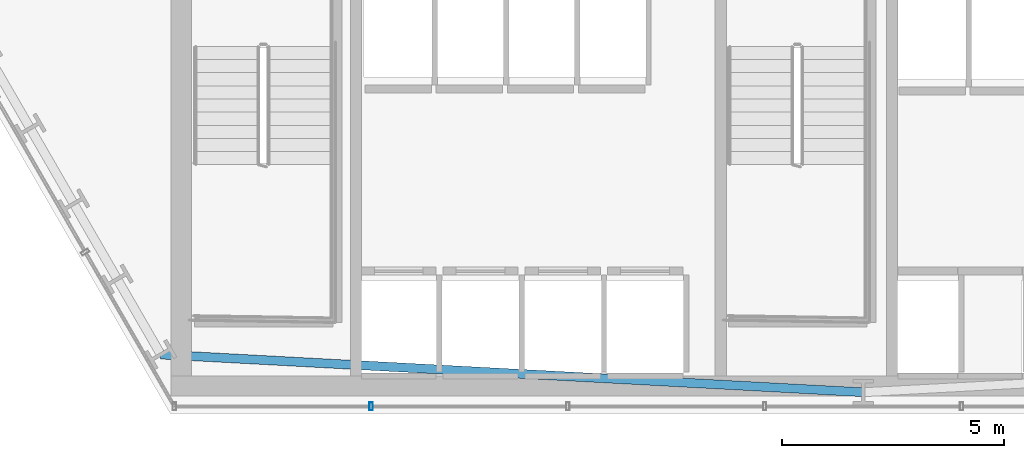
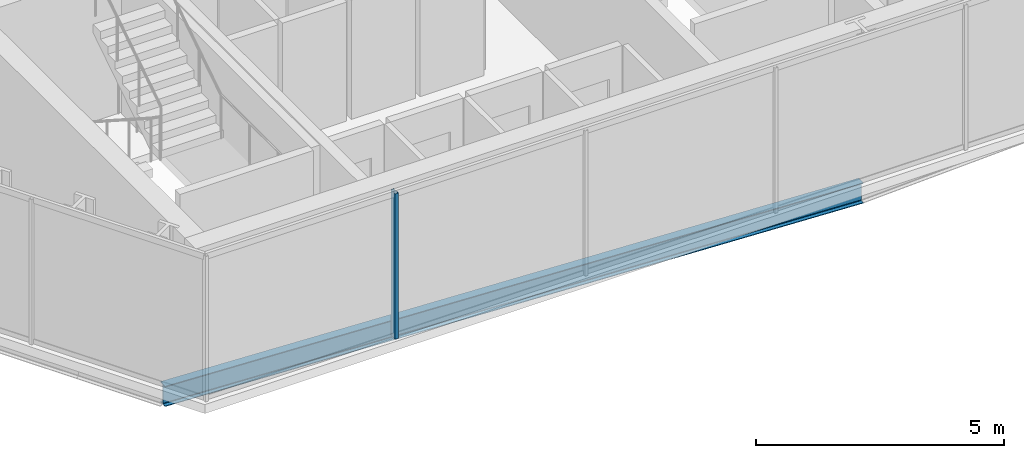
# One storey, part 3 of 32: 1 beam, 1 member, 1 element without a shape of its own.
"""IFC4 building model written with IfcOpenShell, lengths in metres."""

from ifc_helpers import new_model, si_unit, direction, frame, origin, origin_2d, place, context, subcontext, project, spatial, hollow_rectangle, i_section, extrude, material, layer, layer_set, material_profile, profile_set, type_object, element, aggregate, save


model = new_model("IFC4")

# Units and contexts
model_context = context("Model", 3, precision=1e-05, world=origin(), true_north=direction((0.0, 1.0)))
body_context = subcontext(model_context, "Body", "Model", "MODEL_VIEW")
ifc_project = project(units=[si_unit("LENGTHUNIT", "METRE"), si_unit("AREAUNIT", "SQUARE_METRE"), si_unit("VOLUMEUNIT", "CUBIC_METRE"), si_unit("PLANEANGLEUNIT", "RADIAN"), si_unit("MASSUNIT", "GRAM", prefix="KILO")], contexts=[model_context])

# Site, building, storey
site_placement = place(None, origin())
site = spatial("IfcSite", under=ifc_project, at=site_placement, CompositionType="ELEMENT")
building_placement = place(site_placement, origin())
building = spatial("IfcBuilding", under=site, at=building_placement, Name="Ndaravel Arena Tower", CompositionType="ELEMENT")
storey_placement = place(building_placement, frame((0.0, 0.0, 51.199951171875)))
storey = spatial("IfcBuildingStorey", under=building, at=storey_placement, Name="L10", CompositionType="ELEMENT", Elevation=51.199951171875)

# Beam
ifc_material_1 = material(Name="Steel S355", Category="steel")
ifc_material_profile_1 = material_profile(ifc_material_1, i_section(OverallWidth=0.199951171875, OverallDepth=0.5, WebThickness=0.01025390625, FlangeThickness=0.01611328125, FilletRadius=0.02099609375, at=origin_2d()), Name="IPE 500")
ifc_profile_set_1 = profile_set([ifc_material_profile_1], Name="Steel S355")
beam_type = type_object("IfcBeamType", Name="BM-SPAN-IPE500", PredefinedType="SPANDREL", material=ifc_profile_set_1)
beam_placement = place(storey_placement, frame((26.215576171875, 6.327392578125, -0.469970703125), z_axis=(0.998561982084, -0.053609401572, 0.0), x_axis=(0.053609401572, 0.998561982084, 0.0)))
element("IfcBeam", 1, at=beam_placement, inside=storey, type_object=beam_type, Name="L10 Perimeter Spandrel Beam SP-27", PredefinedType="SPANDREL", context=body_context, shape_type="SweptSolid", body=[
    extrude(i_section(OverallWidth=0.199951171875, OverallDepth=0.5, WebThickness=0.01025390625, FlangeThickness=0.01611328125, FilletRadius=0.02099609375, at=origin_2d()), origin(), (0.0, 0.0, 1.0), 15.80712890625),
])

# Curtain wall, member
ifc_material_2 = material(Name="Aluminium", Category="aluminium")
ifc_layer = layer(ifc_material_2, 0.179931640625)
ifc_layer_set = layer_set([ifc_layer], Name="Aluminium")
curtain_wall_type = type_object("IfcCurtainWallType", Name="CW-SYS-03", PredefinedType="NOTDEFINED", material=ifc_layer_set)
curtain_wall_placement = place(storey_placement, origin())
curtain_wall = element("IfcCurtainWall", 2, at=curtain_wall_placement, inside=storey, type_object=curtain_wall_type, Name="L10 Faceted Crystal Curtain Wall CW-L10-E01", PredefinedType="NOTDEFINED")
ifc_material_3 = material(Name="Aluminium", Category="aluminium")
ifc_material_profile_2 = material_profile(ifc_material_3, hollow_rectangle(XDim=0.074951171875, YDim=0.179931640625, WallThickness=0.00390625, at=origin_2d()), Name="CW MULLION 75x180x4")
ifc_profile_set_2 = profile_set([ifc_material_profile_2], Name="Aluminium")
member_type = type_object("IfcMemberType", Name="MEM-CW-MUL180", PredefinedType="MULLION", material=ifc_profile_set_2)
member_placement = place(storey_placement, frame((30.94287109375, 5.159912109375, 0.0), z_axis=(0.0, 0.0, 1.0), x_axis=(1.0, 0.0, 0.0)))
member = element("IfcMember", 3, at=member_placement, type_object=member_type, Name="CW-L10-E01 Mullion 01", PredefinedType="MULLION", context=body_context, shape_type="SweptSolid", body=[
    extrude(hollow_rectangle(XDim=0.074951171875, YDim=0.179931640625, WallThickness=0.00390625, at=origin_2d()), origin(), (0.0, 0.0, 1.0), 3.580078125),
])
aggregate(curtain_wall, [member])

save(model, "model.ifc")
